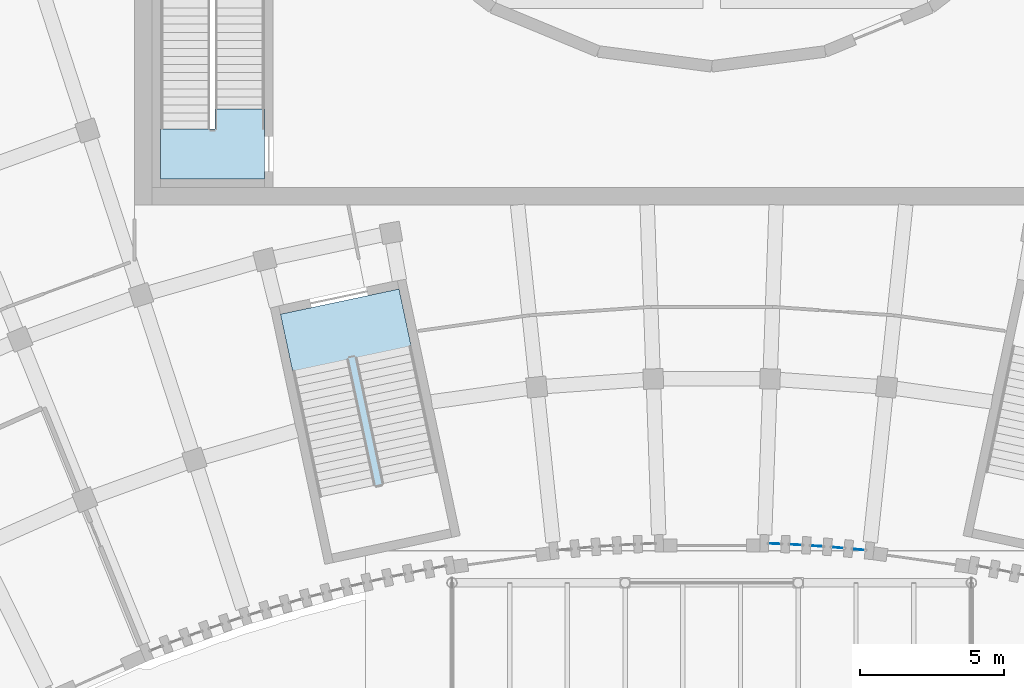
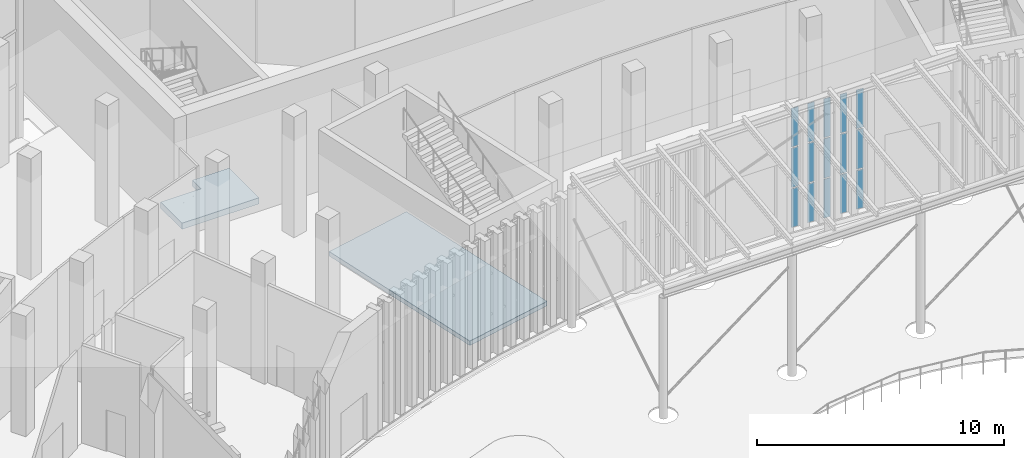
# One storey, part 79 of 155: 15 plates, 2 slabs, 5 elements without a shape of their own.
"""IFC4 building model written with IfcOpenShell, lengths in metres."""

from ifc_helpers import new_model, si_unit, direction, frame, origin, origin_2d, place, context, subcontext, project, spatial, polyline, rectangle, outline, extrude, material, layer, layer_set, type_object, element, aggregate, save


model = new_model("IFC4")

# Units and contexts
model_context = context("Model", 3, precision=1e-05, world=origin(), true_north=direction((0.0, 1.0)))
body_context = subcontext(model_context, "Body", "Model", "MODEL_VIEW")
ifc_project = project(units=[si_unit("LENGTHUNIT", "METRE"), si_unit("AREAUNIT", "SQUARE_METRE"), si_unit("VOLUMEUNIT", "CUBIC_METRE"), si_unit("PLANEANGLEUNIT", "RADIAN"), si_unit("MASSUNIT", "GRAM", prefix="KILO")], contexts=[model_context])

# Site, building, storey
site_placement = place(None, origin())
site = spatial("IfcSite", under=ifc_project, at=site_placement, CompositionType="ELEMENT")
building_placement = place(site_placement, origin())
building = spatial("IfcBuilding", under=site, at=building_placement, Name="Lunette Opera House", CompositionType="ELEMENT")
storey_placement = place(building_placement, origin())
storey = spatial("IfcBuildingStorey", under=building, at=storey_placement, Name="L00", CompositionType="ELEMENT", Elevation=0.0)

# Slab
ifc_material_1 = material(Name="Concrete C35/45", Category="concrete")
ifc_layer_1 = layer(ifc_material_1, 0.300048828125)
ifc_layer_set_1 = layer_set([ifc_layer_1], Name="Concrete C35/45")
slab_type_1 = type_object("IfcSlabType", Name="CORE LANDING SLAB 300", PredefinedType="LANDING", material=ifc_layer_set_1)
slab_1_placement = place(storey_placement, frame((0.0, 0.0, -0.300048828125)))
element("IfcSlab", 1, at=slab_1_placement, inside=storey, type_object=slab_type_1, Name="ST7 floor landing", PredefinedType="LANDING", context=body_context, shape_type="SweptSolid", body=[
    extrude(outline(polyline([(76.89990234375, 64.89990234375), (76.89990234375, 66.6298828125), (78.6201171875, 66.6298828125), (78.6201171875, 66.6201171875), (78.780029296875, 66.6201171875), (78.780029296875, 67.320068359375), (80.5, 67.320068359375), (80.5, 64.89990234375), (76.89990234375, 64.89990234375)])), origin(), (0.0, 0.0, 1.0), 0.300048828125),
])

# Curtain wall, plates
ifc_material_2 = material(Name="Aluminium", Category="aluminium")
ifc_layer_2 = layer(ifc_material_2, 0.1201171875)
ifc_layer_set_2 = layer_set([ifc_layer_2], Name="Aluminium")
curtain_wall_type = type_object("IfcCurtainWallType", Name="SLOT CURTAIN WALL", PredefinedType="NOTDEFINED", material=ifc_layer_set_2)
curtain_wall_1_placement = place(storey_placement, origin())
curtain_wall_1 = element("IfcCurtainWall", 2, at=curtain_wall_1_placement, inside=storey, type_object=curtain_wall_type, Name="Slot Curtain Wall CS041 L00", PredefinedType="NOTDEFINED")
ifc_material_3 = material(Name="Laminated glass", Category="glass")
ifc_layer_3 = layer(ifc_material_3, 0.028076171875)
ifc_layer_set_3 = layer_set([ifc_layer_3], Name="Laminated glass")
plate_type = type_object("IfcPlateType", Name="CURTAIN PANEL LAMINATED GLASS 28", PredefinedType="CURTAIN_PANEL", material=ifc_layer_set_3)
plate_1_placement = place(storey_placement, frame((98.18994140625, 52.25390625, 0.06005859375), z_axis=(0.0, 0.0, 1.0), x_axis=(0.999125000508, -0.04182383723, 0.0)))
plate_1 = element("IfcPlate", 3, at=plate_1_placement, type_object=plate_type, Name="FC-X2081 panel 1.1", PredefinedType="CURTAIN_PANEL", context=body_context, shape_type="SweptSolid", body=[
    extrude(rectangle(XDim=0.310302734375, YDim=0.028076171875, at=origin_2d()), origin(), (0.0, 0.0, 1.0), 1.909912109375),
])
plate_2_placement = place(storey_placement, frame((98.18994140625, 52.25390625, 2.030029296875), z_axis=(0.0, 0.0, 1.0), x_axis=(0.999125000508, -0.04182383723, 0.0)))
plate_2 = element("IfcPlate", 4, at=plate_2_placement, type_object=plate_type, Name="FC-X2081 panel 1.2", PredefinedType="CURTAIN_PANEL", context=body_context, shape_type="SweptSolid", body=[
    extrude(rectangle(XDim=0.310302734375, YDim=0.028076171875, at=origin_2d()), origin(), (0.0, 0.0, 1.0), 1.93994140625),
])
plate_3_placement = place(storey_placement, frame((98.18994140625, 52.25390625, 4.0302734375), z_axis=(0.0, 0.0, 1.0), x_axis=(0.999125000508, -0.04182383723, 0.0)))
plate_3 = element("IfcPlate", 5, at=plate_3_placement, type_object=plate_type, Name="FC-X2081 panel 1.3", PredefinedType="CURTAIN_PANEL", context=body_context, shape_type="SweptSolid", body=[
    extrude(rectangle(XDim=0.310302734375, YDim=0.028076171875, at=origin_2d()), origin(), (0.0, 0.0, 1.0), 1.909912109375),
])
aggregate(curtain_wall_1, [plate_1, plate_2, plate_3])

curtain_wall_2_placement = place(storey_placement, origin())
curtain_wall_2 = element("IfcCurtainWall", 6, at=curtain_wall_2_placement, inside=storey, type_object=curtain_wall_type, Name="Slot Curtain Wall CS042 L00", PredefinedType="NOTDEFINED")
plate_4_placement = place(storey_placement, frame((98.91943359375, 52.218017578125, 0.06005859375), z_axis=(0.0, 0.0, 1.0), x_axis=(0.99843879497, -0.055856715797, 0.0)))
plate_4 = element("IfcPlate", 7, at=plate_4_placement, type_object=plate_type, Name="FC-X2083 panel 1.1", PredefinedType="CURTAIN_PANEL", context=body_context, shape_type="SweptSolid", body=[
    extrude(rectangle(XDim=0.3095703125, YDim=0.028076171875, at=origin_2d()), origin(), (0.0, 0.0, 1.0), 1.909912109375),
])
plate_5_placement = place(storey_placement, frame((98.91943359375, 52.218017578125, 2.030029296875), z_axis=(0.0, 0.0, 1.0), x_axis=(0.99843879497, -0.055856715797, 0.0)))
plate_5 = element("IfcPlate", 8, at=plate_5_placement, type_object=plate_type, Name="FC-X2083 panel 1.2", PredefinedType="CURTAIN_PANEL", context=body_context, shape_type="SweptSolid", body=[
    extrude(rectangle(XDim=0.3095703125, YDim=0.028076171875, at=origin_2d()), origin(), (0.0, 0.0, 1.0), 1.93994140625),
])
plate_6_placement = place(storey_placement, frame((98.91943359375, 52.218017578125, 4.0302734375), z_axis=(0.0, 0.0, 1.0), x_axis=(0.99843879497, -0.055856715797, 0.0)))
plate_6 = element("IfcPlate", 9, at=plate_6_placement, type_object=plate_type, Name="FC-X2083 panel 1.3", PredefinedType="CURTAIN_PANEL", context=body_context, shape_type="SweptSolid", body=[
    extrude(rectangle(XDim=0.3095703125, YDim=0.028076171875, at=origin_2d()), origin(), (0.0, 0.0, 1.0), 1.909912109375),
])
aggregate(curtain_wall_2, [plate_4, plate_5, plate_6])

curtain_wall_3_placement = place(storey_placement, origin())
curtain_wall_3 = element("IfcCurtainWall", 10, at=curtain_wall_3_placement, inside=storey, type_object=curtain_wall_type, Name="Slot Curtain Wall CS043 L00", PredefinedType="NOTDEFINED")
plate_7_placement = place(storey_placement, frame((99.6484375, 52.172119140625, 0.06005859375), z_axis=(0.0, 0.0, 1.0), x_axis=(0.997563824094, -0.069759707987, 0.0)))
plate_7 = element("IfcPlate", 11, at=plate_7_placement, type_object=plate_type, Name="FC-X2085 panel 1.1", PredefinedType="CURTAIN_PANEL", context=body_context, shape_type="SweptSolid", body=[
    extrude(rectangle(XDim=0.31005859375, YDim=0.028076171875, at=origin_2d()), origin(), (0.0, 0.0, 1.0), 1.909912109375),
])
plate_8_placement = place(storey_placement, frame((99.6484375, 52.172119140625, 2.030029296875), z_axis=(0.0, 0.0, 1.0), x_axis=(0.997563824094, -0.069759707987, 0.0)))
plate_8 = element("IfcPlate", 12, at=plate_8_placement, type_object=plate_type, Name="FC-X2085 panel 1.2", PredefinedType="CURTAIN_PANEL", context=body_context, shape_type="SweptSolid", body=[
    extrude(rectangle(XDim=0.31005859375, YDim=0.028076171875, at=origin_2d()), origin(), (0.0, 0.0, 1.0), 1.93994140625),
])
plate_9_placement = place(storey_placement, frame((99.6484375, 52.172119140625, 4.0302734375), z_axis=(0.0, 0.0, 1.0), x_axis=(0.997563824094, -0.069759707987, 0.0)))
plate_9 = element("IfcPlate", 13, at=plate_9_placement, type_object=plate_type, Name="FC-X2085 panel 1.3", PredefinedType="CURTAIN_PANEL", context=body_context, shape_type="SweptSolid", body=[
    extrude(rectangle(XDim=0.31005859375, YDim=0.028076171875, at=origin_2d()), origin(), (0.0, 0.0, 1.0), 1.909912109375),
])
aggregate(curtain_wall_3, [plate_7, plate_8, plate_9])

curtain_wall_4_placement = place(storey_placement, origin())
curtain_wall_4 = element("IfcCurtainWall", 14, at=curtain_wall_4_placement, inside=storey, type_object=curtain_wall_type, Name="Slot Curtain Wall CS044 L00", PredefinedType="NOTDEFINED")
plate_10_placement = place(storey_placement, frame((100.37646484375, 52.115966796875, 0.06005859375), z_axis=(0.0, 0.0, 1.0), x_axis=(0.996497532655, -0.083622170575, 0.0)))
plate_10 = element("IfcPlate", 15, at=plate_10_placement, type_object=plate_type, Name="FC-X2087 panel 1.1", PredefinedType="CURTAIN_PANEL", context=body_context, shape_type="SweptSolid", body=[
    extrude(rectangle(XDim=0.310546875, YDim=0.028076171875, at=origin_2d()), origin(), (0.0, 0.0, 1.0), 1.909912109375),
])
plate_11_placement = place(storey_placement, frame((100.37646484375, 52.115966796875, 2.030029296875), z_axis=(0.0, 0.0, 1.0), x_axis=(0.996497532655, -0.083622170575, 0.0)))
plate_11 = element("IfcPlate", 16, at=plate_11_placement, type_object=plate_type, Name="FC-X2087 panel 1.2", PredefinedType="CURTAIN_PANEL", context=body_context, shape_type="SweptSolid", body=[
    extrude(rectangle(XDim=0.310546875, YDim=0.028076171875, at=origin_2d()), origin(), (0.0, 0.0, 1.0), 1.93994140625),
])
plate_12_placement = place(storey_placement, frame((100.37646484375, 52.115966796875, 4.0302734375), z_axis=(0.0, 0.0, 1.0), x_axis=(0.996497532655, -0.083622170575, 0.0)))
plate_12 = element("IfcPlate", 17, at=plate_12_placement, type_object=plate_type, Name="FC-X2087 panel 1.3", PredefinedType="CURTAIN_PANEL", context=body_context, shape_type="SweptSolid", body=[
    extrude(rectangle(XDim=0.310546875, YDim=0.028076171875, at=origin_2d()), origin(), (0.0, 0.0, 1.0), 1.909912109375),
])
aggregate(curtain_wall_4, [plate_10, plate_11, plate_12])

curtain_wall_5_placement = place(storey_placement, origin())
curtain_wall_5 = element("IfcCurtainWall", 18, at=curtain_wall_5_placement, inside=storey, type_object=curtain_wall_type, Name="Slot Curtain Wall CS045 L00", PredefinedType="NOTDEFINED")
plate_13_placement = place(storey_placement, frame((101.103515625, 52.050048828125, 0.06005859375), z_axis=(0.0, 0.0, 1.0), x_axis=(0.995241767526, -0.097436256965, 0.0)))
plate_13 = element("IfcPlate", 19, at=plate_13_placement, type_object=plate_type, Name="FC-X2089 panel 1.1", PredefinedType="CURTAIN_PANEL", context=body_context, shape_type="SweptSolid", body=[
    extrude(rectangle(XDim=0.31103515625, YDim=0.028076171875, at=origin_2d()), origin(), (0.0, 0.0, 1.0), 1.909912109375),
])
plate_14_placement = place(storey_placement, frame((101.103515625, 52.050048828125, 2.030029296875), z_axis=(0.0, 0.0, 1.0), x_axis=(0.995241767526, -0.097436256965, 0.0)))
plate_14 = element("IfcPlate", 20, at=plate_14_placement, type_object=plate_type, Name="FC-X2089 panel 1.2", PredefinedType="CURTAIN_PANEL", context=body_context, shape_type="SweptSolid", body=[
    extrude(rectangle(XDim=0.31103515625, YDim=0.028076171875, at=origin_2d()), origin(), (0.0, 0.0, 1.0), 1.93994140625),
])
plate_15_placement = place(storey_placement, frame((101.103515625, 52.050048828125, 4.0302734375), z_axis=(0.0, 0.0, 1.0), x_axis=(0.995241767526, -0.097436256965, 0.0)))
plate_15 = element("IfcPlate", 21, at=plate_15_placement, type_object=plate_type, Name="FC-X2089 panel 1.3", PredefinedType="CURTAIN_PANEL", context=body_context, shape_type="SweptSolid", body=[
    extrude(rectangle(XDim=0.31103515625, YDim=0.028076171875, at=origin_2d()), origin(), (0.0, 0.0, 1.0), 1.909912109375),
])
aggregate(curtain_wall_5, [plate_13, plate_14, plate_15])

# Slab
ifc_material_4 = material(Name="Concrete C35/45", Category="concrete")
ifc_layer_4 = layer(ifc_material_4, 0.219970703125)
ifc_layer_set_4 = layer_set([ifc_layer_4], Name="Concrete C35/45")
slab_type_2 = type_object("IfcSlabType", Name="FLOOR SLAB 220", PredefinedType="FLOOR", material=ifc_layer_set_4)
slab_2_placement = place(storey_placement, frame((0.0, 0.0, -0.219970703125)))
element("IfcSlab", 22, at=slab_2_placement, inside=storey, type_object=slab_type_2, Name="slab-FC-L00-F2", PredefinedType="FLOOR", context=body_context, shape_type="SweptSolid", body=[
    extrude(outline(polyline([(81.055908203125, 60.208984375), (82.822998046875, 51.89404296875), (86.930908203125, 52.76708984375), (85.1640625, 61.08203125), (81.055908203125, 60.208984375)])), origin(), (0.0, 0.0, 1.0), 0.219970703125),
])

save(model, "model.ifc")
